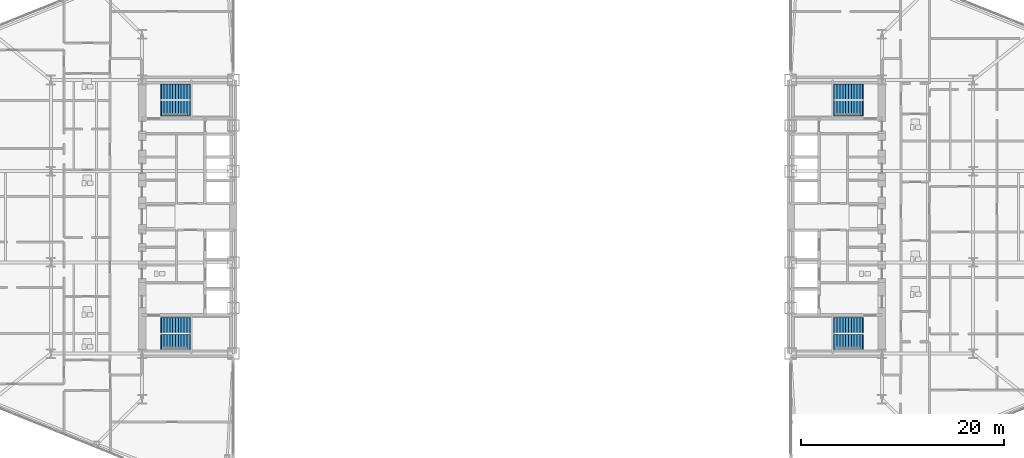
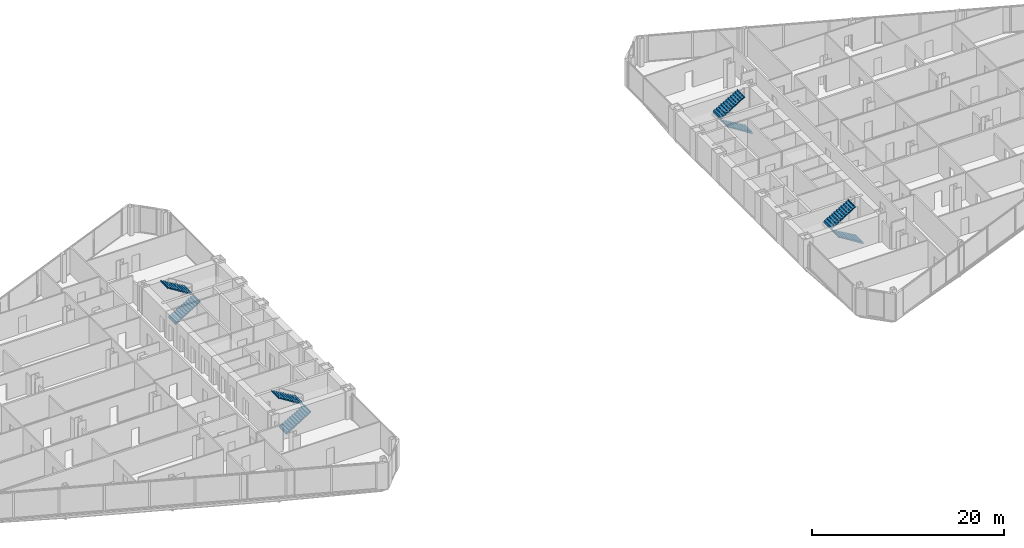
# One storey, part 23 of 25: 8 stair flights, 4 elements without a shape of their own.
"""IFC4 building model written with IfcOpenShell, lengths in metres."""

from ifc_helpers import new_model, si_unit, direction, frame, origin, place, context, subcontext, project, spatial, polyline, outline, extrude, material, type_object, element, aggregate, save


model = new_model("IFC4")

# Units and contexts
model_context = context("Model", 3, precision=1e-05, world=origin(), true_north=direction((0.0, 1.0)))
body_context = subcontext(model_context, "Body", "Model", "MODEL_VIEW")
ifc_project = project(units=[si_unit("LENGTHUNIT", "METRE"), si_unit("AREAUNIT", "SQUARE_METRE"), si_unit("VOLUMEUNIT", "CUBIC_METRE"), si_unit("PLANEANGLEUNIT", "RADIAN"), si_unit("MASSUNIT", "GRAM", prefix="KILO")], contexts=[model_context])

# Site, building, storey
site_placement = place(None, origin())
site = spatial("IfcSite", under=ifc_project, at=site_placement, CompositionType="ELEMENT")
building_placement = place(site_placement, origin())
building = spatial("IfcBuilding", under=site, at=building_placement, Name="Seokmaru Belvedere", CompositionType="ELEMENT")
storey_placement = place(building_placement, frame((0.0, 0.0, 33.300048828125)))
storey = spatial("IfcBuildingStorey", under=building, at=storey_placement, Name="L08", CompositionType="ELEMENT", Elevation=33.300048828125)

# Stair, stair flights
ifc_material = material(Name="Concrete C40 (40 MPa)", Category="concrete")
stair_type = type_object("IfcStairType", Name="Typical Tower Core Dog-Leg Stair 3600", PredefinedType="TWO_STRAIGHT_RUN_STAIR", material=ifc_material)
stair_1_placement = place(storey_placement, origin())
stair_1 = element("IfcStair", 1, at=stair_1_placement, inside=storey, type_object=stair_type, Name="L08 Special Escape Stair ST-W1", PredefinedType="TWO_STRAIGHT_RUN_STAIR")
stair_flight_type = type_object("IfcStairFlightType", Name="Reinforced Concrete Stair Flight 1500", PredefinedType="STRAIGHT", material=ifc_material)
stair_flight_1_placement = place(storey_placement, frame((-34.60009765625, -12.35009765625, 0.0), z_axis=(0.0, 0.0, 1.0), x_axis=(1.0, 0.0, 0.0)))
stair_flight_1 = element("IfcStairFlight", 2, at=stair_flight_1_placement, type_object=stair_flight_type, Name="ST-W1 flight 1", NumberOfRisers=11, NumberOfTreads=10, PredefinedType="STRAIGHT", RiserHeight=0.163636364, TreadLength=0.28, context=body_context, shape_type="SweptSolid", body=[
    extrude(outline(polyline([(-0.080078125, 0.0), (0.0, 0.16357421875), (0.280029296875, 0.16357421875), (0.280029296875, 0.327392578125), (0.56005859375, 0.327392578125), (0.56005859375, 0.490966796875), (0.840087890625, 0.490966796875), (0.840087890625, 0.654541015625), (1.1201171875, 0.654541015625), (1.1201171875, 0.818115234375), (1.39990234375, 0.818115234375), (1.39990234375, 0.98193359375), (1.679931640625, 0.98193359375), (1.679931640625, 1.1455078125), (1.9599609375, 1.1455078125), (1.9599609375, 1.30908203125), (2.239990234375, 1.30908203125), (2.239990234375, 1.47265625), (2.52001953125, 1.47265625), (2.52001953125, 1.636474609375), (2.800048828125, 1.636474609375), (2.800048828125, 1.800048828125), (2.8798828125, 1.800048828125), (2.8798828125, 1.610107421875), (2.800048828125, 1.610107421875), (0.0, -0.159912109375), (-0.080078125, -0.159912109375), (-0.080078125, 0.0)])), frame((0.0, 0.75, 0.0), z_axis=(0.0, -1.0, 0.0), x_axis=(1.0, 0.0, 0.0)), (0.0, 0.0, 1.0), 1.5),
])
stair_flight_2_placement = place(storey_placement, frame((-31.800048828125, -10.7099609375, 1.800048828125), z_axis=(0.0, 0.0, 1.0), x_axis=(-1.0, 0.0, 0.0)))
stair_flight_2 = element("IfcStairFlight", 3, at=stair_flight_2_placement, type_object=stair_flight_type, Name="ST-W1 flight 2", NumberOfRisers=11, NumberOfTreads=10, PredefinedType="STRAIGHT", RiserHeight=0.163636364, TreadLength=0.28, context=body_context, shape_type="SweptSolid", body=[
    extrude(outline(polyline([(-0.080078125, 0.0), (0.0, 0.16357421875), (0.280029296875, 0.16357421875), (0.280029296875, 0.327392578125), (0.56005859375, 0.327392578125), (0.56005859375, 0.490966796875), (0.840087890625, 0.490966796875), (0.840087890625, 0.654541015625), (1.1201171875, 0.654541015625), (1.1201171875, 0.818115234375), (1.39990234375, 0.818115234375), (1.39990234375, 0.98193359375), (1.679931640625, 0.98193359375), (1.679931640625, 1.1455078125), (1.9599609375, 1.1455078125), (1.9599609375, 1.30908203125), (2.239990234375, 1.30908203125), (2.239990234375, 1.47265625), (2.52001953125, 1.47265625), (2.52001953125, 1.636474609375), (2.800048828125, 1.636474609375), (2.800048828125, 1.800048828125), (2.8798828125, 1.800048828125), (2.8798828125, 1.610107421875), (2.800048828125, 1.610107421875), (0.0, -0.159912109375), (-0.080078125, -0.159912109375), (-0.080078125, 0.0)])), frame((0.0, 0.75, 0.0), z_axis=(0.0, -1.0, 0.0), x_axis=(1.0, 0.0, 0.0)), (0.0, 0.0, 1.0), 1.5),
])
aggregate(stair_1, [stair_flight_1, stair_flight_2])

stair_2_placement = place(storey_placement, origin())
stair_2 = element("IfcStair", 4, at=stair_2_placement, inside=storey, type_object=stair_type, Name="L08 Special Escape Stair ST-W2", PredefinedType="TWO_STRAIGHT_RUN_STAIR")
stair_flight_3_placement = place(storey_placement, frame((-34.60009765625, 10.7099609375, 0.0), z_axis=(0.0, 0.0, 1.0), x_axis=(1.0, 0.0, 0.0)))
stair_flight_3 = element("IfcStairFlight", 5, at=stair_flight_3_placement, type_object=stair_flight_type, Name="ST-W2 flight 1", NumberOfRisers=11, NumberOfTreads=10, PredefinedType="STRAIGHT", RiserHeight=0.163636364, TreadLength=0.28, context=body_context, shape_type="SweptSolid", body=[
    extrude(outline(polyline([(-0.080078125, 0.0), (0.0, 0.16357421875), (0.280029296875, 0.16357421875), (0.280029296875, 0.327392578125), (0.56005859375, 0.327392578125), (0.56005859375, 0.490966796875), (0.840087890625, 0.490966796875), (0.840087890625, 0.654541015625), (1.1201171875, 0.654541015625), (1.1201171875, 0.818115234375), (1.39990234375, 0.818115234375), (1.39990234375, 0.98193359375), (1.679931640625, 0.98193359375), (1.679931640625, 1.1455078125), (1.9599609375, 1.1455078125), (1.9599609375, 1.30908203125), (2.239990234375, 1.30908203125), (2.239990234375, 1.47265625), (2.52001953125, 1.47265625), (2.52001953125, 1.636474609375), (2.800048828125, 1.636474609375), (2.800048828125, 1.800048828125), (2.8798828125, 1.800048828125), (2.8798828125, 1.610107421875), (2.800048828125, 1.610107421875), (0.0, -0.159912109375), (-0.080078125, -0.159912109375), (-0.080078125, 0.0)])), frame((0.0, 0.75, 0.0), z_axis=(0.0, -1.0, 0.0), x_axis=(1.0, 0.0, 0.0)), (0.0, 0.0, 1.0), 1.5),
])
stair_flight_4_placement = place(storey_placement, frame((-31.800048828125, 12.35009765625, 1.800048828125), z_axis=(0.0, 0.0, 1.0), x_axis=(-1.0, 0.0, 0.0)))
stair_flight_4 = element("IfcStairFlight", 6, at=stair_flight_4_placement, type_object=stair_flight_type, Name="ST-W2 flight 2", NumberOfRisers=11, NumberOfTreads=10, PredefinedType="STRAIGHT", RiserHeight=0.163636364, TreadLength=0.28, context=body_context, shape_type="SweptSolid", body=[
    extrude(outline(polyline([(-0.080078125, 0.0), (0.0, 0.16357421875), (0.280029296875, 0.16357421875), (0.280029296875, 0.327392578125), (0.56005859375, 0.327392578125), (0.56005859375, 0.490966796875), (0.840087890625, 0.490966796875), (0.840087890625, 0.654541015625), (1.1201171875, 0.654541015625), (1.1201171875, 0.818115234375), (1.39990234375, 0.818115234375), (1.39990234375, 0.98193359375), (1.679931640625, 0.98193359375), (1.679931640625, 1.1455078125), (1.9599609375, 1.1455078125), (1.9599609375, 1.30908203125), (2.239990234375, 1.30908203125), (2.239990234375, 1.47265625), (2.52001953125, 1.47265625), (2.52001953125, 1.636474609375), (2.800048828125, 1.636474609375), (2.800048828125, 1.800048828125), (2.8798828125, 1.800048828125), (2.8798828125, 1.610107421875), (2.800048828125, 1.610107421875), (0.0, -0.159912109375), (-0.080078125, -0.159912109375), (-0.080078125, 0.0)])), frame((0.0, 0.75, 0.0), z_axis=(0.0, -1.0, 0.0), x_axis=(1.0, 0.0, 0.0)), (0.0, 0.0, 1.0), 1.5),
])
aggregate(stair_2, [stair_flight_3, stair_flight_4])

stair_3_placement = place(storey_placement, origin())
stair_3 = element("IfcStair", 7, at=stair_3_placement, inside=storey, type_object=stair_type, Name="L08 Special Escape Stair ST-E1", PredefinedType="TWO_STRAIGHT_RUN_STAIR")
stair_flight_5_placement = place(storey_placement, frame((34.60009765625, -12.35009765625, 0.0), z_axis=(0.0, 0.0, 1.0), x_axis=(-1.0, 0.0, 0.0)))
stair_flight_5 = element("IfcStairFlight", 8, at=stair_flight_5_placement, type_object=stair_flight_type, Name="ST-E1 flight 1", NumberOfRisers=11, NumberOfTreads=10, PredefinedType="STRAIGHT", RiserHeight=0.163636364, TreadLength=0.28, context=body_context, shape_type="SweptSolid", body=[
    extrude(outline(polyline([(-0.080078125, 0.0), (0.0, 0.16357421875), (0.280029296875, 0.16357421875), (0.280029296875, 0.327392578125), (0.56005859375, 0.327392578125), (0.56005859375, 0.490966796875), (0.840087890625, 0.490966796875), (0.840087890625, 0.654541015625), (1.1201171875, 0.654541015625), (1.1201171875, 0.818115234375), (1.39990234375, 0.818115234375), (1.39990234375, 0.98193359375), (1.679931640625, 0.98193359375), (1.679931640625, 1.1455078125), (1.9599609375, 1.1455078125), (1.9599609375, 1.30908203125), (2.239990234375, 1.30908203125), (2.239990234375, 1.47265625), (2.52001953125, 1.47265625), (2.52001953125, 1.636474609375), (2.800048828125, 1.636474609375), (2.800048828125, 1.800048828125), (2.8798828125, 1.800048828125), (2.8798828125, 1.610107421875), (2.800048828125, 1.610107421875), (0.0, -0.159912109375), (-0.080078125, -0.159912109375), (-0.080078125, 0.0)])), frame((0.0, 0.75, 0.0), z_axis=(0.0, -1.0, 0.0), x_axis=(1.0, 0.0, 0.0)), (0.0, 0.0, 1.0), 1.5),
])
stair_flight_6_placement = place(storey_placement, frame((31.800048828125, -10.7099609375, 1.800048828125), z_axis=(0.0, 0.0, 1.0), x_axis=(1.0, 0.0, 0.0)))
stair_flight_6 = element("IfcStairFlight", 9, at=stair_flight_6_placement, type_object=stair_flight_type, Name="ST-E1 flight 2", NumberOfRisers=11, NumberOfTreads=10, PredefinedType="STRAIGHT", RiserHeight=0.163636364, TreadLength=0.28, context=body_context, shape_type="SweptSolid", body=[
    extrude(outline(polyline([(-0.080078125, 0.0), (0.0, 0.16357421875), (0.280029296875, 0.16357421875), (0.280029296875, 0.327392578125), (0.56005859375, 0.327392578125), (0.56005859375, 0.490966796875), (0.840087890625, 0.490966796875), (0.840087890625, 0.654541015625), (1.1201171875, 0.654541015625), (1.1201171875, 0.818115234375), (1.39990234375, 0.818115234375), (1.39990234375, 0.98193359375), (1.679931640625, 0.98193359375), (1.679931640625, 1.1455078125), (1.9599609375, 1.1455078125), (1.9599609375, 1.30908203125), (2.239990234375, 1.30908203125), (2.239990234375, 1.47265625), (2.52001953125, 1.47265625), (2.52001953125, 1.636474609375), (2.800048828125, 1.636474609375), (2.800048828125, 1.800048828125), (2.8798828125, 1.800048828125), (2.8798828125, 1.610107421875), (2.800048828125, 1.610107421875), (0.0, -0.159912109375), (-0.080078125, -0.159912109375), (-0.080078125, 0.0)])), frame((0.0, 0.75, 0.0), z_axis=(0.0, -1.0, 0.0), x_axis=(1.0, 0.0, 0.0)), (0.0, 0.0, 1.0), 1.5),
])
aggregate(stair_3, [stair_flight_5, stair_flight_6])

stair_4_placement = place(storey_placement, origin())
stair_4 = element("IfcStair", 10, at=stair_4_placement, inside=storey, type_object=stair_type, Name="L08 Special Escape Stair ST-E2", PredefinedType="TWO_STRAIGHT_RUN_STAIR")
stair_flight_7_placement = place(storey_placement, frame((34.60009765625, 10.7099609375, 0.0), z_axis=(0.0, 0.0, 1.0), x_axis=(-1.0, 0.0, 0.0)))
stair_flight_7 = element("IfcStairFlight", 11, at=stair_flight_7_placement, type_object=stair_flight_type, Name="ST-E2 flight 1", NumberOfRisers=11, NumberOfTreads=10, PredefinedType="STRAIGHT", RiserHeight=0.163636364, TreadLength=0.28, context=body_context, shape_type="SweptSolid", body=[
    extrude(outline(polyline([(-0.080078125, 0.0), (0.0, 0.16357421875), (0.280029296875, 0.16357421875), (0.280029296875, 0.327392578125), (0.56005859375, 0.327392578125), (0.56005859375, 0.490966796875), (0.840087890625, 0.490966796875), (0.840087890625, 0.654541015625), (1.1201171875, 0.654541015625), (1.1201171875, 0.818115234375), (1.39990234375, 0.818115234375), (1.39990234375, 0.98193359375), (1.679931640625, 0.98193359375), (1.679931640625, 1.1455078125), (1.9599609375, 1.1455078125), (1.9599609375, 1.30908203125), (2.239990234375, 1.30908203125), (2.239990234375, 1.47265625), (2.52001953125, 1.47265625), (2.52001953125, 1.636474609375), (2.800048828125, 1.636474609375), (2.800048828125, 1.800048828125), (2.8798828125, 1.800048828125), (2.8798828125, 1.610107421875), (2.800048828125, 1.610107421875), (0.0, -0.159912109375), (-0.080078125, -0.159912109375), (-0.080078125, 0.0)])), frame((0.0, 0.75, 0.0), z_axis=(0.0, -1.0, 0.0), x_axis=(1.0, 0.0, 0.0)), (0.0, 0.0, 1.0), 1.5),
])
stair_flight_8_placement = place(storey_placement, frame((31.800048828125, 12.35009765625, 1.800048828125), z_axis=(0.0, 0.0, 1.0), x_axis=(1.0, 0.0, 0.0)))
stair_flight_8 = element("IfcStairFlight", 12, at=stair_flight_8_placement, type_object=stair_flight_type, Name="ST-E2 flight 2", NumberOfRisers=11, NumberOfTreads=10, PredefinedType="STRAIGHT", RiserHeight=0.163636364, TreadLength=0.28, context=body_context, shape_type="SweptSolid", body=[
    extrude(outline(polyline([(-0.080078125, 0.0), (0.0, 0.16357421875), (0.280029296875, 0.16357421875), (0.280029296875, 0.327392578125), (0.56005859375, 0.327392578125), (0.56005859375, 0.490966796875), (0.840087890625, 0.490966796875), (0.840087890625, 0.654541015625), (1.1201171875, 0.654541015625), (1.1201171875, 0.818115234375), (1.39990234375, 0.818115234375), (1.39990234375, 0.98193359375), (1.679931640625, 0.98193359375), (1.679931640625, 1.1455078125), (1.9599609375, 1.1455078125), (1.9599609375, 1.30908203125), (2.239990234375, 1.30908203125), (2.239990234375, 1.47265625), (2.52001953125, 1.47265625), (2.52001953125, 1.636474609375), (2.800048828125, 1.636474609375), (2.800048828125, 1.800048828125), (2.8798828125, 1.800048828125), (2.8798828125, 1.610107421875), (2.800048828125, 1.610107421875), (0.0, -0.159912109375), (-0.080078125, -0.159912109375), (-0.080078125, 0.0)])), frame((0.0, 0.75, 0.0), z_axis=(0.0, -1.0, 0.0), x_axis=(1.0, 0.0, 0.0)), (0.0, 0.0, 1.0), 1.5),
])
aggregate(stair_4, [stair_flight_7, stair_flight_8])

save(model, "model.ifc")
